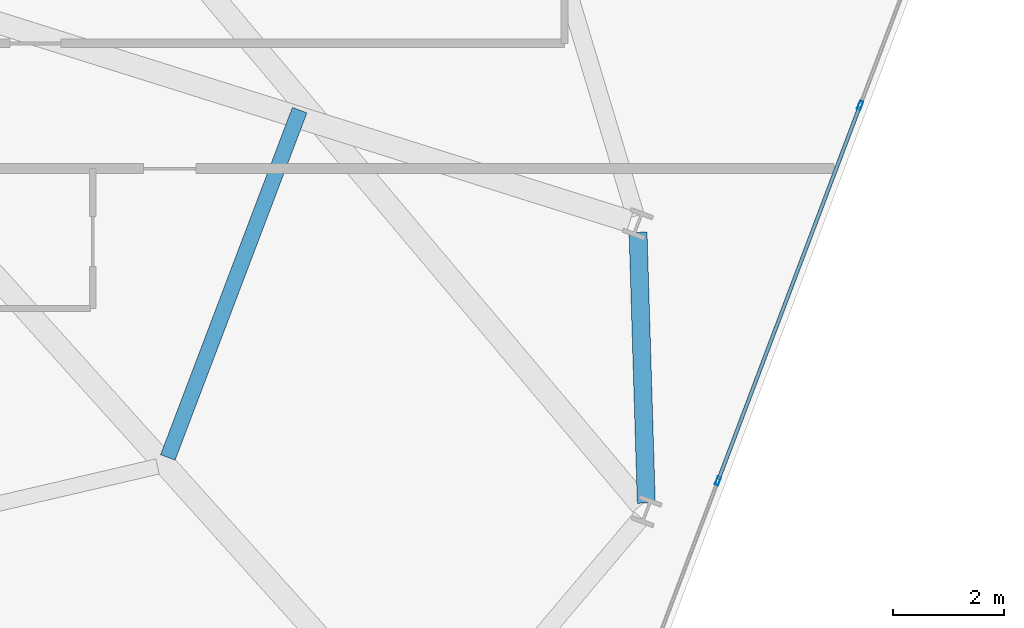
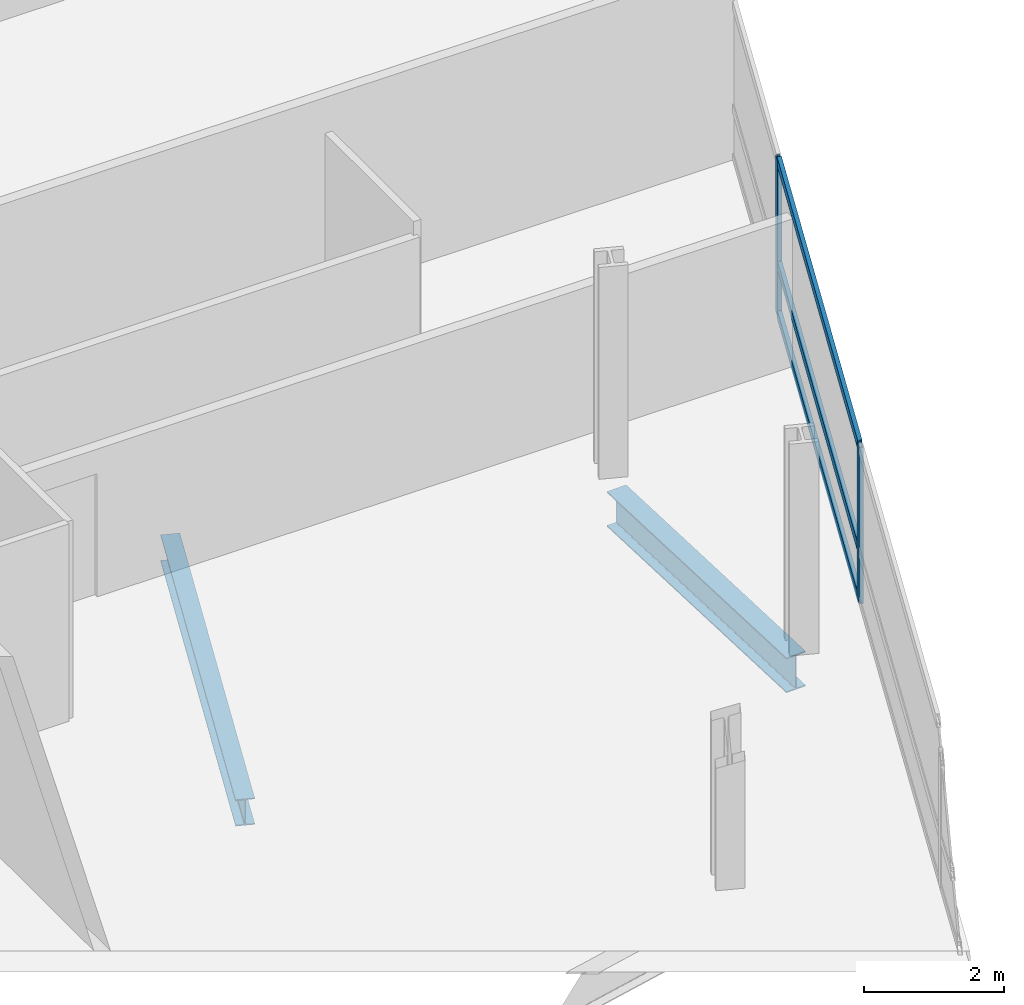
# One storey, part 11 of 24: 5 members, 2 beams, 1 element without a shape of its own.
"""IFC4 building model written with IfcOpenShell, lengths in metres."""

from ifc_helpers import new_model, si_unit, direction, frame, origin, origin_2d, place, context, subcontext, project, spatial, hollow_rectangle, i_section, extrude, material, layer, layer_set, material_profile, profile_set, type_object, element, aggregate, save


model = new_model("IFC4")

# Units and contexts
model_context = context("Model", 3, precision=1e-05, world=origin(), true_north=direction((0.0, 1.0)))
body_context = subcontext(model_context, "Body", "Model", "MODEL_VIEW")
ifc_project = project(units=[si_unit("LENGTHUNIT", "METRE"), si_unit("AREAUNIT", "SQUARE_METRE"), si_unit("VOLUMEUNIT", "CUBIC_METRE"), si_unit("PLANEANGLEUNIT", "RADIAN"), si_unit("MASSUNIT", "GRAM", prefix="KILO")], contexts=[model_context])

# Site, building, storey
site_placement = place(None, origin())
site = spatial("IfcSite", under=ifc_project, at=site_placement, CompositionType="ELEMENT")
building_placement = place(site_placement, origin())
building = spatial("IfcBuilding", under=site, at=building_placement, Name="Varnelok Gate Tower", CompositionType="ELEMENT")
storey_placement = place(building_placement, frame((0.0, 0.0, 94.699951171875)))
storey = spatial("IfcBuildingStorey", under=building, at=storey_placement, Name="L23", CompositionType="ELEMENT", Elevation=94.699951171875)

# Beams
ifc_material_1 = material(Name="Structural Steel ASTM A992 Grade 50", Category="steel")
ifc_material_profile_1 = material_profile(ifc_material_1, i_section(OverallWidth=0.280029296875, OverallDepth=0.462890625, WebThickness=0.0107421875, FlangeThickness=0.017333984375, FilletRadius=0.014892578125, at=origin_2d()), Name="W18X76")
ifc_profile_set_1 = profile_set([ifc_material_profile_1], Name="Structural Steel ASTM A992 Grade 50")
beam_type_1 = type_object("IfcBeamType", Name="BM-JST-W18X76", PredefinedType="JOIST", material=ifc_profile_set_1)
beam_1_placement = place(storey_placement, frame((62.845458984375, 9.144775390625, -0.4814453125), z_axis=(0.354899245418, 0.934904554274, 0.0), x_axis=(-0.934904554274, 0.354899245418, 0.0)))
element("IfcBeam", 1, at=beam_1_placement, inside=storey, type_object=beam_type_1, Name="L23 Sector Floor Joist 6", PredefinedType="JOIST", context=body_context, shape_type="SweptSolid", body=[
    extrude(i_section(OverallWidth=0.280029296875, OverallDepth=0.462890625, WebThickness=0.0107421875, FlangeThickness=0.017333984375, FilletRadius=0.014892578125, at=origin_2d()), origin(), (0.0, 0.0, 1.0), 6.6982421875),
])
ifc_material_profile_2 = material_profile(ifc_material_1, i_section(OverallWidth=0.323974609375, OverallDepth=0.611083984375, WebThickness=0.0126953125, FlangeThickness=0.01904296875, FilletRadius=0.01806640625, at=origin_2d()), Name="W24X104")
ifc_profile_set_2 = profile_set([ifc_material_profile_2], Name="Structural Steel ASTM A992 Grade 50")
beam_type_2 = type_object("IfcBeamType", Name="BM-SPN-W24X104", PredefinedType="SPANDREL", material=ifc_profile_set_2)
beam_2_placement = place(storey_placement, frame((71.471923828125, 8.322509765625, -0.555419921875), z_axis=(-0.030393553869, 0.999538009224, 0.0), x_axis=(-0.999538009224, -0.030393553869, 0.0)))
element("IfcBeam", 2, at=beam_2_placement, inside=storey, type_object=beam_type_2, Name="L23 Perimeter Spandrel Beam 7", PredefinedType="SPANDREL", context=body_context, shape_type="SweptSolid", body=[
    extrude(i_section(OverallWidth=0.323974609375, OverallDepth=0.611083984375, WebThickness=0.0126953125, FlangeThickness=0.01904296875, FilletRadius=0.01806640625, at=origin_2d()), origin(), (0.0, 0.0, 1.0), 4.8837890625),
])

# Curtain wall, members
ifc_material_2 = material(Name="Anodized Aluminum Alloy 6063-T6", Category="aluminium")
ifc_layer = layer(ifc_material_2, 0.179931640625)
ifc_layer_set = layer_set([ifc_layer], Name="Anodized Aluminum Alloy 6063-T6")
curtain_wall_type = type_object("IfcCurtainWallType", Name="CW3-HOTEL-VISION", PredefinedType="USERDEFINED", material=ifc_layer_set)
curtain_wall_placement = place(storey_placement, origin())
curtain_wall = element("IfcCurtainWall", 3, at=curtain_wall_placement, inside=storey, type_object=curtain_wall_type, Name="L23 East End Vision Curtain Wall", ObjectType="UNITISED CURTAIN WALL", PredefinedType="USERDEFINED")
ifc_material_profile_3 = material_profile(ifc_material_2, hollow_rectangle(XDim=0.06494140625, YDim=0.159912109375, WallThickness=0.00390625, at=origin_2d()), Name="ALU160X65X4")
ifc_profile_set_3 = profile_set([ifc_material_profile_3], Name="Anodized Aluminum Alloy 6063-T6")
member_type_1 = type_object("IfcMemberType", Name="CW-MULL-160", PredefinedType="MULLION", material=ifc_profile_set_3)
member_1_placement = place(storey_placement, frame((75.328125, 15.4931640625, 0.0), z_axis=(0.0, 0.0, 1.0), x_axis=(0.935221323688, -0.354063660545, 0.0)))
member_1 = element("IfcMember", 4, at=member_1_placement, type_object=member_type_1, Name="CW3 mullion 3", PredefinedType="MULLION", context=body_context, shape_type="SweptSolid", body=[
    extrude(hollow_rectangle(XDim=0.06494140625, YDim=0.159912109375, WallThickness=0.00390625, at=origin_2d()), origin(), (0.0, 0.0, 1.0), 2.72998046875),
])
member_2_placement = place(storey_placement, frame((72.7646484375, 8.72216796875, 0.0), z_axis=(0.0, 0.0, 1.0), x_axis=(0.935221323688, -0.354063660545, 0.0)))
member_2 = element("IfcMember", 5, at=member_2_placement, type_object=member_type_1, Name="CW3 mullion 4", PredefinedType="MULLION", context=body_context, shape_type="SweptSolid", body=[
    extrude(hollow_rectangle(XDim=0.06494140625, YDim=0.159912109375, WallThickness=0.00390625, at=origin_2d()), origin(), (0.0, 0.0, 1.0), 2.72998046875),
])
ifc_material_profile_4 = material_profile(ifc_material_2, hollow_rectangle(XDim=0.06494140625, YDim=0.159912109375, WallThickness=0.00390625, at=origin_2d()), Name="ALU160X65X4")
ifc_profile_set_4 = profile_set([ifc_material_profile_4], Name="Anodized Aluminum Alloy 6063-T6")
member_type_2 = type_object("IfcMemberType", Name="CW-TRAN-160", PredefinedType="USERDEFINED", material=ifc_profile_set_4)
member_3_placement = place(storey_placement, frame((75.316650390625, 15.462646484375, 0.032470703125), z_axis=(-0.354078724634, -0.935215620465, 0.0), x_axis=(0.935215620465, -0.354078724634, 0.0)))
member_3 = element("IfcMember", 6, at=member_3_placement, type_object=member_type_2, Name="CW3 transom 3.1", ObjectType="TRANSOM", PredefinedType="USERDEFINED", context=body_context, shape_type="SweptSolid", body=[
    extrude(hollow_rectangle(XDim=0.06494140625, YDim=0.159912109375, WallThickness=0.00390625, at=origin_2d()), origin(), (0.0, 0.0, 1.0), 7.175048828125),
])
member_4_placement = place(storey_placement, frame((75.316650390625, 15.462646484375, 0.900146484375), z_axis=(-0.354078724634, -0.935215620465, 0.0), x_axis=(0.935215620465, -0.354078724634, 0.0)))
member_4 = element("IfcMember", 7, at=member_4_placement, type_object=member_type_2, Name="CW3 transom 3.2", ObjectType="TRANSOM", PredefinedType="USERDEFINED", context=body_context, shape_type="SweptSolid", body=[
    extrude(hollow_rectangle(XDim=0.06494140625, YDim=0.159912109375, WallThickness=0.00390625, at=origin_2d()), origin(), (0.0, 0.0, 1.0), 7.175048828125),
])
member_5_placement = place(storey_placement, frame((75.316650390625, 15.462646484375, 2.697509765625), z_axis=(-0.354078724634, -0.935215620465, 0.0), x_axis=(0.935215620465, -0.354078724634, 0.0)))
member_5 = element("IfcMember", 8, at=member_5_placement, type_object=member_type_2, Name="CW3 transom 3.3", ObjectType="TRANSOM", PredefinedType="USERDEFINED", context=body_context, shape_type="SweptSolid", body=[
    extrude(hollow_rectangle(XDim=0.06494140625, YDim=0.159912109375, WallThickness=0.00390625, at=origin_2d()), origin(), (0.0, 0.0, 1.0), 7.175048828125),
])
aggregate(curtain_wall, [member_1, member_2, member_3, member_4, member_5])

save(model, "model.ifc")
